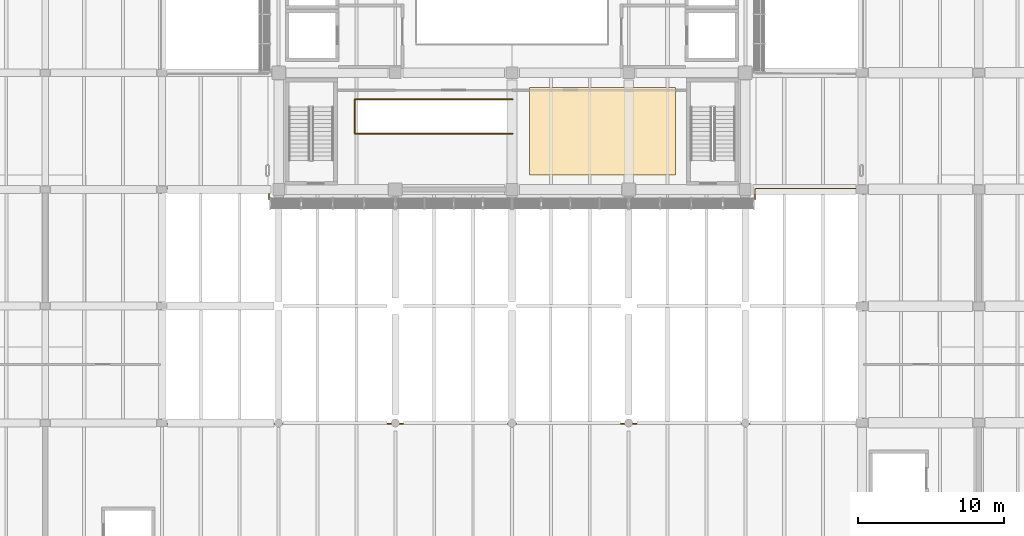
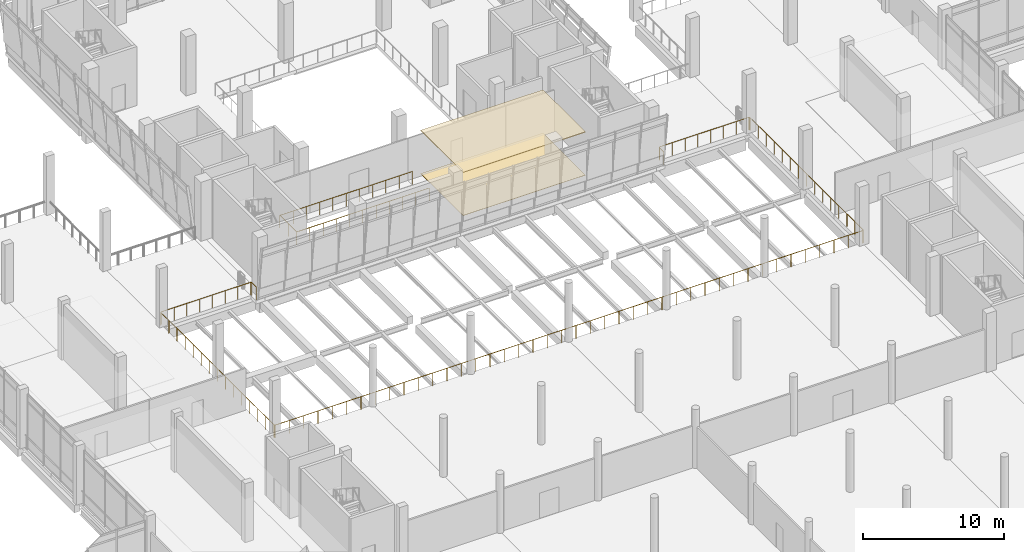
# One storey, part 53 of 61: 2 coverings, 2 railings.
"""IFC4 building model written with IfcOpenShell, lengths in metres."""

from ifc_helpers import new_model, si_unit, direction, frame, origin, origin_2d, place, context, subcontext, project, spatial, polyline, circle, outline, extrude, material, layer, layer_set, type_object, element, save


model = new_model("IFC4")

# Units and contexts
model_context = context("Model", 3, precision=1e-05, world=origin(), true_north=direction((0.0, 1.0)))
body_context = subcontext(model_context, "Body", "Model", "MODEL_VIEW")
ifc_project = project(units=[si_unit("LENGTHUNIT", "METRE"), si_unit("AREAUNIT", "SQUARE_METRE"), si_unit("VOLUMEUNIT", "CUBIC_METRE"), si_unit("PLANEANGLEUNIT", "RADIAN"), si_unit("MASSUNIT", "GRAM", prefix="KILO")], contexts=[model_context])

# Site, building, storey
site_placement = place(None, origin())
site = spatial("IfcSite", under=ifc_project, at=site_placement, CompositionType="ELEMENT")
building_placement = place(site_placement, origin())
building = spatial("IfcBuilding", under=site, at=building_placement, Name="Pecanmere Concourse Central Library", CompositionType="ELEMENT")
storey_placement = place(building_placement, frame((0.0, 0.0, 5.39990234375)))
storey = spatial("IfcBuildingStorey", under=building, at=storey_placement, Name="L02", CompositionType="ELEMENT", Elevation=5.39990234375)

# Coverings
ifc_material_1 = material(Name="Solid white oak architectural joinery")
ifc_layer_1 = layer(ifc_material_1, 0.054931640625, Name="COV_CEIL_OAK_COFF")
ifc_layer_set_1 = layer_set([ifc_layer_1], Name="Solid white oak architectural joinery")
covering_type_1 = type_object("IfcCoveringType", Name="COV_CEIL_OAK_COFF", PredefinedType="CEILING", material=ifc_layer_set_1)
covering_1_placement = place(storey_placement, frame((0.0, 0.0, 3.710205078125)))
element("IfcCovering", 1, at=covering_1_placement, inside=storey, type_object=covering_type_1, Name="Acoustic Coffered Ceiling L02-010", PredefinedType="CEILING", context=body_context, shape_type="SweptSolid", body=[
    extrude(outline(polyline([(89.199951171875, 91.0), (99.199951171875, 91.0), (99.199951171875, 97.0), (89.199951171875, 97.0), (89.199951171875, 91.0)])), origin(), (0.0, 0.0, 1.0), 0.054931640625),
])
ifc_material_2 = material(Name="Solid white oak architectural joinery")
ifc_layer_2 = layer(ifc_material_2, 0.02490234375, Name="COV_FLR_OAK")
ifc_layer_set_2 = layer_set([ifc_layer_2], Name="Solid white oak architectural joinery")
covering_type_2 = type_object("IfcCoveringType", Name="COV_FLR_OAK", PredefinedType="FLOORING", material=ifc_layer_set_2)
covering_2_placement = place(storey_placement, origin())
element("IfcCovering", 2, at=covering_2_placement, inside=storey, type_object=covering_type_2, Name="Finished Flooring L02-010", PredefinedType="FLOORING", context=body_context, shape_type="SweptSolid", body=[
    extrude(outline(polyline([(89.199951171875, 91.0), (99.199951171875, 91.0), (99.199951171875, 97.0), (89.199951171875, 97.0), (89.199951171875, 91.0)])), origin(), (0.0, 0.0, 1.0), 0.025146484375),
])

# Railings
ifc_material_3 = material(Name="Architectural anodized bronze")
railing_type = type_object("IfcRailingType", Name="RAIL_ATRIUM_BAL", PredefinedType="BALUSTRADE", material=ifc_material_3)
railing_1_placement = place(storey_placement, frame((88.050048828125, 93.820068359375, 0.0)))
element("IfcRailing", 3, at=railing_1_placement, inside=storey, type_object=railing_type, Name="Monumental Stair Well Balustrade L02", PredefinedType="BALUSTRADE", context=body_context, shape_type="SweptSolid", body=[
    extrude(circle(Radius=0.02392578125, at=origin_2d()), frame((0.0, 0.0, 1.09619140625), z_axis=(-1.0, 0.0, 0.0), x_axis=(0.0, -1.0, 0.0)), (0.0, 0.0, 1.0), 10.830078125),
    extrude(circle(Radius=0.02392578125, at=origin_2d()), frame((-10.830078125, 0.0, 1.09619140625), z_axis=(0.0, 1.0, 0.0), x_axis=(-1.0, 0.0, 0.0)), (0.0, 0.0, 1.0), 2.35986328125),
    extrude(circle(Radius=0.02392578125, at=origin_2d()), frame((-10.830078125, 2.35986328125, 1.09619140625), z_axis=(1.0, 0.0, 0.0), x_axis=(0.0, 1.0, 0.0)), (0.0, 0.0, 1.0), 10.830078125),
    extrude(circle(Radius=0.02099609375, at=origin_2d()), origin(), (0.0, 0.0, 1.0), 1.072021484375),
    extrude(circle(Radius=0.02099609375, at=origin_2d()), frame((-1.0830078125, 0.0, 0.0)), (0.0, 0.0, 1.0), 1.072021484375),
    extrude(circle(Radius=0.02099609375, at=origin_2d()), frame((-2.166015625, 0.0, 0.0)), (0.0, 0.0, 1.0), 1.072021484375),
    extrude(circle(Radius=0.02099609375, at=origin_2d()), frame((-3.2490234375, 0.0, 0.0)), (0.0, 0.0, 1.0), 1.072021484375),
    extrude(circle(Radius=0.02099609375, at=origin_2d()), frame((-4.33203125, 0.0, 0.0)), (0.0, 0.0, 1.0), 1.072021484375),
    extrude(circle(Radius=0.02099609375, at=origin_2d()), frame((-5.4150390625, 0.0, 0.0)), (0.0, 0.0, 1.0), 1.072021484375),
    extrude(circle(Radius=0.02099609375, at=origin_2d()), frame((-6.498046875, 0.0, 0.0)), (0.0, 0.0, 1.0), 1.072021484375),
    extrude(circle(Radius=0.02099609375, at=origin_2d()), frame((-7.5810546875, 0.0, 0.0)), (0.0, 0.0, 1.0), 1.072021484375),
    extrude(circle(Radius=0.02099609375, at=origin_2d()), frame((-8.6640625, 0.0, 0.0)), (0.0, 0.0, 1.0), 1.072021484375),
    extrude(circle(Radius=0.02099609375, at=origin_2d()), frame((-9.7470703125, 0.0, 0.0)), (0.0, 0.0, 1.0), 1.072021484375),
    extrude(circle(Radius=0.02099609375, at=origin_2d()), frame((-10.830078125, 0.0, 0.0)), (0.0, 0.0, 1.0), 1.072021484375),
    extrude(circle(Radius=0.02099609375, at=origin_2d()), frame((-10.830078125, 1.179931640625, 0.0)), (0.0, 0.0, 1.0), 1.072021484375),
    extrude(circle(Radius=0.02099609375, at=origin_2d()), frame((-10.830078125, 2.35986328125, 0.0)), (0.0, 0.0, 1.0), 1.072021484375),
    extrude(circle(Radius=0.02099609375, at=origin_2d()), frame((-9.7470703125, 2.35986328125, 0.0)), (0.0, 0.0, 1.0), 1.072021484375),
    extrude(circle(Radius=0.02099609375, at=origin_2d()), frame((-8.6640625, 2.35986328125, 0.0)), (0.0, 0.0, 1.0), 1.072021484375),
    extrude(circle(Radius=0.02099609375, at=origin_2d()), frame((-7.5810546875, 2.35986328125, 0.0)), (0.0, 0.0, 1.0), 1.072021484375),
    extrude(circle(Radius=0.02099609375, at=origin_2d()), frame((-6.498046875, 2.35986328125, 0.0)), (0.0, 0.0, 1.0), 1.072021484375),
    extrude(circle(Radius=0.02099609375, at=origin_2d()), frame((-5.4150390625, 2.35986328125, 0.0)), (0.0, 0.0, 1.0), 1.072021484375),
    extrude(circle(Radius=0.02099609375, at=origin_2d()), frame((-4.33203125, 2.35986328125, 0.0)), (0.0, 0.0, 1.0), 1.072021484375),
    extrude(circle(Radius=0.02099609375, at=origin_2d()), frame((-3.2490234375, 2.35986328125, 0.0)), (0.0, 0.0, 1.0), 1.072021484375),
    extrude(circle(Radius=0.02099609375, at=origin_2d()), frame((-2.166015625, 2.35986328125, 0.0)), (0.0, 0.0, 1.0), 1.072021484375),
    extrude(circle(Radius=0.02099609375, at=origin_2d()), frame((-1.0830078125, 2.35986328125, 0.0)), (0.0, 0.0, 1.0), 1.072021484375),
    extrude(circle(Radius=0.02099609375, at=origin_2d()), frame((0.0, 2.35986328125, 0.0)), (0.0, 0.0, 1.0), 1.072021484375),
])
railing_2_placement = place(storey_placement, frame((71.349609375, 89.349609375, 0.0)))
element("IfcRailing", 4, at=railing_2_placement, inside=storey, type_object=railing_type, Name="Deck Edge Protective Balustrade L02-066", PredefinedType="BALUSTRADE", context=body_context, shape_type="SweptSolid", body=[
    extrude(circle(Radius=0.02392578125, at=origin_2d()), frame((0.0, 0.0, 1.09619140625), z_axis=(-0.000754432075, 0.999999715416, 0.0), x_axis=(-0.999999715416, -0.000754432075, 0.0)), (0.0, 0.0, 1.0), 0.647216796875),
    extrude(circle(Radius=0.02392578125, at=origin_2d()), frame((-0.00048828125, 0.647216796875, 1.09619140625), z_axis=(-0.591491231767, 0.806311430369, 0.0), x_axis=(-0.806311430369, -0.591491231767, 0.0)), (0.0, 0.0, 1.0), 0.0830078125),
    extrude(circle(Radius=0.02392578125, at=origin_2d()), frame((-0.049560546875, 0.714111328125, 1.09619140625), z_axis=(-0.999999677597, 0.0008029976, 0.0), x_axis=(-0.0008029976, -0.999999677597, 0.0)), (0.0, 0.0, 1.0), 7.296875),
    extrude(circle(Radius=0.02392578125, at=origin_2d()), frame((-7.346435546875, 0.719970703125, 1.09619140625), z_axis=(-0.806311430369, -0.591491231767, 0.0), x_axis=(0.591491231767, -0.806311430369, 0.0)), (0.0, 0.0, 1.0), 0.0830078125),
    extrude(circle(Radius=0.02392578125, at=origin_2d()), frame((-7.413330078125, 0.6708984375, 1.09619140625), z_axis=(-0.000365814599, -0.99999993309, 0.0), x_axis=(0.99999993309, -0.000365814599, 0.0)), (0.0, 0.0, 1.0), 16.017333984375),
    extrude(circle(Radius=0.02392578125, at=origin_2d()), frame((-7.419189453125, -15.346435546875, 1.09619140625), z_axis=(0.591491231767, -0.806311430369, 0.0), x_axis=(0.806311430369, 0.591491231767, 0.0)), (0.0, 0.0, 1.0), 0.0830078125),
    extrude(circle(Radius=0.02392578125, at=origin_2d()), frame((-7.3701171875, -15.413330078125, 1.09619140625), z_axis=(0.999999992555, -0.000122026245, 0.0), x_axis=(0.000122026245, 0.999999992555, 0.0)), (0.0, 0.0, 1.0), 48.017333984375),
    extrude(circle(Radius=0.02392578125, at=origin_2d()), frame((40.647216796875, -15.419189453125, 1.09619140625), z_axis=(0.806311430369, 0.591491231767, 0.0), x_axis=(-0.591491231767, 0.806311430369, 0.0)), (0.0, 0.0, 1.0), 0.0830078125),
    extrude(circle(Radius=0.02392578125, at=origin_2d()), frame((40.714111328125, -15.3701171875, 1.09619140625), z_axis=(0.000365814599, 0.99999993309, 0.0), x_axis=(-0.99999993309, 0.000365814599, 0.0)), (0.0, 0.0, 1.0), 16.017333984375),
    extrude(circle(Radius=0.02392578125, at=origin_2d()), frame((40.719970703125, 0.647216796875, 1.09619140625), z_axis=(-0.591491231767, 0.806311430369, 0.0), x_axis=(-0.806311430369, -0.591491231767, 0.0)), (0.0, 0.0, 1.0), 0.0830078125),
    extrude(circle(Radius=0.02392578125, at=origin_2d()), frame((40.6708984375, 0.714111328125, 1.09619140625), z_axis=(-0.999999677597, 0.0008029976, 0.0), x_axis=(-0.0008029976, -0.999999677597, 0.0)), (0.0, 0.0, 1.0), 7.296875),
    extrude(circle(Radius=0.02392578125, at=origin_2d()), frame((33.3740234375, 0.719970703125, 1.09619140625), z_axis=(-0.806311430369, -0.591491231767, 0.0), x_axis=(0.591491231767, -0.806311430369, 0.0)), (0.0, 0.0, 1.0), 0.0830078125),
    extrude(circle(Radius=0.02392578125, at=origin_2d()), frame((33.30712890625, 0.6708984375, 1.09619140625), z_axis=(-0.009461003034, -0.999955243709, 0.0), x_axis=(0.999955243709, -0.009461003034, 0.0)), (0.0, 0.0, 1.0), 0.6708984375),
    extrude(circle(Radius=0.02099609375, at=origin_2d()), origin(), (0.0, 0.0, 1.0), 1.072021484375),
    extrude(circle(Radius=0.02099609375, at=origin_2d()), frame((-0.00048828125, 0.647216796875, 0.0)), (0.0, 0.0, 1.0), 1.072021484375),
    extrude(circle(Radius=0.02099609375, at=origin_2d()), frame((-0.049560546875, 0.714111328125, 0.0)), (0.0, 0.0, 1.0), 1.072021484375),
    extrude(circle(Radius=0.02099609375, at=origin_2d()), frame((-1.092041015625, 0.71484375, 0.0)), (0.0, 0.0, 1.0), 1.072021484375),
    extrude(circle(Radius=0.02099609375, at=origin_2d()), frame((-2.13427734375, 0.7158203125, 0.0)), (0.0, 0.0, 1.0), 1.072021484375),
    extrude(circle(Radius=0.02099609375, at=origin_2d()), frame((-3.1767578125, 0.716552734375, 0.0)), (0.0, 0.0, 1.0), 1.072021484375),
    extrude(circle(Radius=0.02099609375, at=origin_2d()), frame((-4.21923828125, 0.717529296875, 0.0)), (0.0, 0.0, 1.0), 1.072021484375),
    extrude(circle(Radius=0.02099609375, at=origin_2d()), frame((-5.26171875, 0.71826171875, 0.0)), (0.0, 0.0, 1.0), 1.072021484375),
    extrude(circle(Radius=0.02099609375, at=origin_2d()), frame((-6.303955078125, 0.71923828125, 0.0)), (0.0, 0.0, 1.0), 1.072021484375),
    extrude(circle(Radius=0.02099609375, at=origin_2d()), frame((-7.346435546875, 0.719970703125, 0.0)), (0.0, 0.0, 1.0), 1.072021484375),
    extrude(circle(Radius=0.02099609375, at=origin_2d()), frame((-7.413330078125, 0.6708984375, 0.0)), (0.0, 0.0, 1.0), 1.072021484375),
    extrude(circle(Radius=0.02099609375, at=origin_2d()), frame((-7.413818359375, -0.47314453125, 0.0)), (0.0, 0.0, 1.0), 1.072021484375),
    extrude(circle(Radius=0.02099609375, at=origin_2d()), frame((-7.4140625, -1.6171875, 0.0)), (0.0, 0.0, 1.0), 1.072021484375),
    extrude(circle(Radius=0.02099609375, at=origin_2d()), frame((-7.41455078125, -2.761474609375, 0.0)), (0.0, 0.0, 1.0), 1.072021484375),
    extrude(circle(Radius=0.02099609375, at=origin_2d()), frame((-7.4150390625, -3.905517578125, 0.0)), (0.0, 0.0, 1.0), 1.072021484375),
    extrude(circle(Radius=0.02099609375, at=origin_2d()), frame((-7.41552734375, -5.049560546875, 0.0)), (0.0, 0.0, 1.0), 1.072021484375),
    extrude(circle(Radius=0.02099609375, at=origin_2d()), frame((-7.415771484375, -6.193603515625, 0.0)), (0.0, 0.0, 1.0), 1.072021484375),
    extrude(circle(Radius=0.02099609375, at=origin_2d()), frame((-7.416259765625, -7.337890625, 0.0)), (0.0, 0.0, 1.0), 1.072021484375),
    extrude(circle(Radius=0.02099609375, at=origin_2d()), frame((-7.416748046875, -8.48193359375, 0.0)), (0.0, 0.0, 1.0), 1.072021484375),
    extrude(circle(Radius=0.02099609375, at=origin_2d()), frame((-7.4169921875, -9.6259765625, 0.0)), (0.0, 0.0, 1.0), 1.072021484375),
    extrude(circle(Radius=0.02099609375, at=origin_2d()), frame((-7.41748046875, -10.77001953125, 0.0)), (0.0, 0.0, 1.0), 1.072021484375),
    extrude(circle(Radius=0.02099609375, at=origin_2d()), frame((-7.41796875, -11.9140625, 0.0)), (0.0, 0.0, 1.0), 1.072021484375),
    extrude(circle(Radius=0.02099609375, at=origin_2d()), frame((-7.41845703125, -13.058349609375, 0.0)), (0.0, 0.0, 1.0), 1.072021484375),
    extrude(circle(Radius=0.02099609375, at=origin_2d()), frame((-7.418701171875, -14.202392578125, 0.0)), (0.0, 0.0, 1.0), 1.072021484375),
    extrude(circle(Radius=0.02099609375, at=origin_2d()), frame((-7.419189453125, -15.346435546875, 0.0)), (0.0, 0.0, 1.0), 1.072021484375),
    extrude(circle(Radius=0.02099609375, at=origin_2d()), frame((-7.3701171875, -15.413330078125, 0.0)), (0.0, 0.0, 1.0), 1.072021484375),
    extrude(circle(Radius=0.02099609375, at=origin_2d()), frame((-6.198974609375, -15.41357421875, 0.0)), (0.0, 0.0, 1.0), 1.072021484375),
    extrude(circle(Radius=0.02099609375, at=origin_2d()), frame((-5.02783203125, -15.41357421875, 0.0)), (0.0, 0.0, 1.0), 1.072021484375),
    extrude(circle(Radius=0.02099609375, at=origin_2d()), frame((-3.856689453125, -15.413818359375, 0.0)), (0.0, 0.0, 1.0), 1.072021484375),
    extrude(circle(Radius=0.02099609375, at=origin_2d()), frame((-2.685546875, -15.413818359375, 0.0)), (0.0, 0.0, 1.0), 1.072021484375),
    extrude(circle(Radius=0.02099609375, at=origin_2d()), frame((-1.514404296875, -15.4140625, 0.0)), (0.0, 0.0, 1.0), 1.072021484375),
    extrude(circle(Radius=0.02099609375, at=origin_2d()), frame((-0.34326171875, -15.414306640625, 0.0)), (0.0, 0.0, 1.0), 1.072021484375),
    extrude(circle(Radius=0.02099609375, at=origin_2d()), frame((0.827880859375, -15.414306640625, 0.0)), (0.0, 0.0, 1.0), 1.072021484375),
    extrude(circle(Radius=0.02099609375, at=origin_2d()), frame((1.9990234375, -15.41455078125, 0.0)), (0.0, 0.0, 1.0), 1.072021484375),
    extrude(circle(Radius=0.02099609375, at=origin_2d()), frame((3.170166015625, -15.41455078125, 0.0)), (0.0, 0.0, 1.0), 1.072021484375),
    extrude(circle(Radius=0.02099609375, at=origin_2d()), frame((4.34130859375, -15.414794921875, 0.0)), (0.0, 0.0, 1.0), 1.072021484375),
    extrude(circle(Radius=0.02099609375, at=origin_2d()), frame((5.5126953125, -15.414794921875, 0.0)), (0.0, 0.0, 1.0), 1.072021484375),
    extrude(circle(Radius=0.02099609375, at=origin_2d()), frame((6.683837890625, -15.4150390625, 0.0)), (0.0, 0.0, 1.0), 1.072021484375),
    extrude(circle(Radius=0.02099609375, at=origin_2d()), frame((7.85498046875, -15.415283203125, 0.0)), (0.0, 0.0, 1.0), 1.072021484375),
    extrude(circle(Radius=0.02099609375, at=origin_2d()), frame((9.026123046875, -15.415283203125, 0.0)), (0.0, 0.0, 1.0), 1.072021484375),
    extrude(circle(Radius=0.02099609375, at=origin_2d()), frame((10.197265625, -15.41552734375, 0.0)), (0.0, 0.0, 1.0), 1.072021484375),
    extrude(circle(Radius=0.02099609375, at=origin_2d()), frame((11.368408203125, -15.41552734375, 0.0)), (0.0, 0.0, 1.0), 1.072021484375),
    extrude(circle(Radius=0.02099609375, at=origin_2d()), frame((12.53955078125, -15.415771484375, 0.0)), (0.0, 0.0, 1.0), 1.072021484375),
    extrude(circle(Radius=0.02099609375, at=origin_2d()), frame((13.710693359375, -15.416015625, 0.0)), (0.0, 0.0, 1.0), 1.072021484375),
    extrude(circle(Radius=0.02099609375, at=origin_2d()), frame((14.8818359375, -15.416015625, 0.0)), (0.0, 0.0, 1.0), 1.072021484375),
    extrude(circle(Radius=0.02099609375, at=origin_2d()), frame((16.052978515625, -15.416259765625, 0.0)), (0.0, 0.0, 1.0), 1.072021484375),
    extrude(circle(Radius=0.02099609375, at=origin_2d()), frame((17.22412109375, -15.416259765625, 0.0)), (0.0, 0.0, 1.0), 1.072021484375),
    extrude(circle(Radius=0.02099609375, at=origin_2d()), frame((18.395263671875, -15.41650390625, 0.0)), (0.0, 0.0, 1.0), 1.072021484375),
    extrude(circle(Radius=0.02099609375, at=origin_2d()), frame((19.56640625, -15.41650390625, 0.0)), (0.0, 0.0, 1.0), 1.072021484375),
    extrude(circle(Radius=0.02099609375, at=origin_2d()), frame((20.737548828125, -15.416748046875, 0.0)), (0.0, 0.0, 1.0), 1.072021484375),
    extrude(circle(Radius=0.02099609375, at=origin_2d()), frame((21.90869140625, -15.4169921875, 0.0)), (0.0, 0.0, 1.0), 1.072021484375),
    extrude(circle(Radius=0.02099609375, at=origin_2d()), frame((23.079833984375, -15.4169921875, 0.0)), (0.0, 0.0, 1.0), 1.072021484375),
    extrude(circle(Radius=0.02099609375, at=origin_2d()), frame((24.2509765625, -15.417236328125, 0.0)), (0.0, 0.0, 1.0), 1.072021484375),
    extrude(circle(Radius=0.02099609375, at=origin_2d()), frame((25.422119140625, -15.417236328125, 0.0)), (0.0, 0.0, 1.0), 1.072021484375),
    extrude(circle(Radius=0.02099609375, at=origin_2d()), frame((26.59326171875, -15.41748046875, 0.0)), (0.0, 0.0, 1.0), 1.072021484375),
    extrude(circle(Radius=0.02099609375, at=origin_2d()), frame((27.764404296875, -15.417724609375, 0.0)), (0.0, 0.0, 1.0), 1.072021484375),
    extrude(circle(Radius=0.02099609375, at=origin_2d()), frame((28.935791015625, -15.417724609375, 0.0)), (0.0, 0.0, 1.0), 1.072021484375),
    extrude(circle(Radius=0.02099609375, at=origin_2d()), frame((30.10693359375, -15.41796875, 0.0)), (0.0, 0.0, 1.0), 1.072021484375),
    extrude(circle(Radius=0.02099609375, at=origin_2d()), frame((31.278076171875, -15.41796875, 0.0)), (0.0, 0.0, 1.0), 1.072021484375),
    extrude(circle(Radius=0.02099609375, at=origin_2d()), frame((32.44921875, -15.418212890625, 0.0)), (0.0, 0.0, 1.0), 1.072021484375),
    extrude(circle(Radius=0.02099609375, at=origin_2d()), frame((33.620361328125, -15.418212890625, 0.0)), (0.0, 0.0, 1.0), 1.072021484375),
    extrude(circle(Radius=0.02099609375, at=origin_2d()), frame((34.79150390625, -15.41845703125, 0.0)), (0.0, 0.0, 1.0), 1.072021484375),
    extrude(circle(Radius=0.02099609375, at=origin_2d()), frame((35.962646484375, -15.418701171875, 0.0)), (0.0, 0.0, 1.0), 1.072021484375),
    extrude(circle(Radius=0.02099609375, at=origin_2d()), frame((37.1337890625, -15.418701171875, 0.0)), (0.0, 0.0, 1.0), 1.072021484375),
    extrude(circle(Radius=0.02099609375, at=origin_2d()), frame((38.304931640625, -15.4189453125, 0.0)), (0.0, 0.0, 1.0), 1.072021484375),
    extrude(circle(Radius=0.02099609375, at=origin_2d()), frame((39.47607421875, -15.4189453125, 0.0)), (0.0, 0.0, 1.0), 1.072021484375),
    extrude(circle(Radius=0.02099609375, at=origin_2d()), frame((40.647216796875, -15.419189453125, 0.0)), (0.0, 0.0, 1.0), 1.072021484375),
    extrude(circle(Radius=0.02099609375, at=origin_2d()), frame((40.714111328125, -15.3701171875, 0.0)), (0.0, 0.0, 1.0), 1.072021484375),
    extrude(circle(Radius=0.02099609375, at=origin_2d()), frame((40.714599609375, -14.22607421875, 0.0)), (0.0, 0.0, 1.0), 1.072021484375),
    extrude(circle(Radius=0.02099609375, at=origin_2d()), frame((40.71484375, -13.08203125, 0.0)), (0.0, 0.0, 1.0), 1.072021484375),
    extrude(circle(Radius=0.02099609375, at=origin_2d()), frame((40.71533203125, -11.937744140625, 0.0)), (0.0, 0.0, 1.0), 1.072021484375),
    extrude(circle(Radius=0.02099609375, at=origin_2d()), frame((40.7158203125, -10.793701171875, 0.0)), (0.0, 0.0, 1.0), 1.072021484375),
    extrude(circle(Radius=0.02099609375, at=origin_2d()), frame((40.71630859375, -9.649658203125, 0.0)), (0.0, 0.0, 1.0), 1.072021484375),
    extrude(circle(Radius=0.02099609375, at=origin_2d()), frame((40.716552734375, -8.505615234375, 0.0)), (0.0, 0.0, 1.0), 1.072021484375),
    extrude(circle(Radius=0.02099609375, at=origin_2d()), frame((40.717041015625, -7.361328125, 0.0)), (0.0, 0.0, 1.0), 1.072021484375),
    extrude(circle(Radius=0.02099609375, at=origin_2d()), frame((40.717529296875, -6.21728515625, 0.0)), (0.0, 0.0, 1.0), 1.072021484375),
    extrude(circle(Radius=0.02099609375, at=origin_2d()), frame((40.7177734375, -5.0732421875, 0.0)), (0.0, 0.0, 1.0), 1.072021484375),
    extrude(circle(Radius=0.02099609375, at=origin_2d()), frame((40.71826171875, -3.92919921875, 0.0)), (0.0, 0.0, 1.0), 1.072021484375),
    extrude(circle(Radius=0.02099609375, at=origin_2d()), frame((40.71875, -2.78515625, 0.0)), (0.0, 0.0, 1.0), 1.072021484375),
    extrude(circle(Radius=0.02099609375, at=origin_2d()), frame((40.71923828125, -1.640869140625, 0.0)), (0.0, 0.0, 1.0), 1.072021484375),
    extrude(circle(Radius=0.02099609375, at=origin_2d()), frame((40.719482421875, -0.496826171875, 0.0)), (0.0, 0.0, 1.0), 1.072021484375),
    extrude(circle(Radius=0.02099609375, at=origin_2d()), frame((40.719970703125, 0.647216796875, 0.0)), (0.0, 0.0, 1.0), 1.072021484375),
    extrude(circle(Radius=0.02099609375, at=origin_2d()), frame((40.6708984375, 0.714111328125, 0.0)), (0.0, 0.0, 1.0), 1.072021484375),
    extrude(circle(Radius=0.02099609375, at=origin_2d()), frame((39.62841796875, 0.71484375, 0.0)), (0.0, 0.0, 1.0), 1.072021484375),
    extrude(circle(Radius=0.02099609375, at=origin_2d()), frame((38.586181640625, 0.7158203125, 0.0)), (0.0, 0.0, 1.0), 1.072021484375),
    extrude(circle(Radius=0.02099609375, at=origin_2d()), frame((37.543701171875, 0.716552734375, 0.0)), (0.0, 0.0, 1.0), 1.072021484375),
    extrude(circle(Radius=0.02099609375, at=origin_2d()), frame((36.501220703125, 0.717529296875, 0.0)), (0.0, 0.0, 1.0), 1.072021484375),
    extrude(circle(Radius=0.02099609375, at=origin_2d()), frame((35.458740234375, 0.71826171875, 0.0)), (0.0, 0.0, 1.0), 1.072021484375),
    extrude(circle(Radius=0.02099609375, at=origin_2d()), frame((34.41650390625, 0.71923828125, 0.0)), (0.0, 0.0, 1.0), 1.072021484375),
    extrude(circle(Radius=0.02099609375, at=origin_2d()), frame((33.3740234375, 0.719970703125, 0.0)), (0.0, 0.0, 1.0), 1.072021484375),
    extrude(circle(Radius=0.02099609375, at=origin_2d()), frame((33.30712890625, 0.6708984375, 0.0)), (0.0, 0.0, 1.0), 1.072021484375),
    extrude(circle(Radius=0.02099609375, at=origin_2d()), frame((33.30078125, 0.0, 0.0)), (0.0, 0.0, 1.0), 1.072021484375),
])

save(model, "model.ifc")
